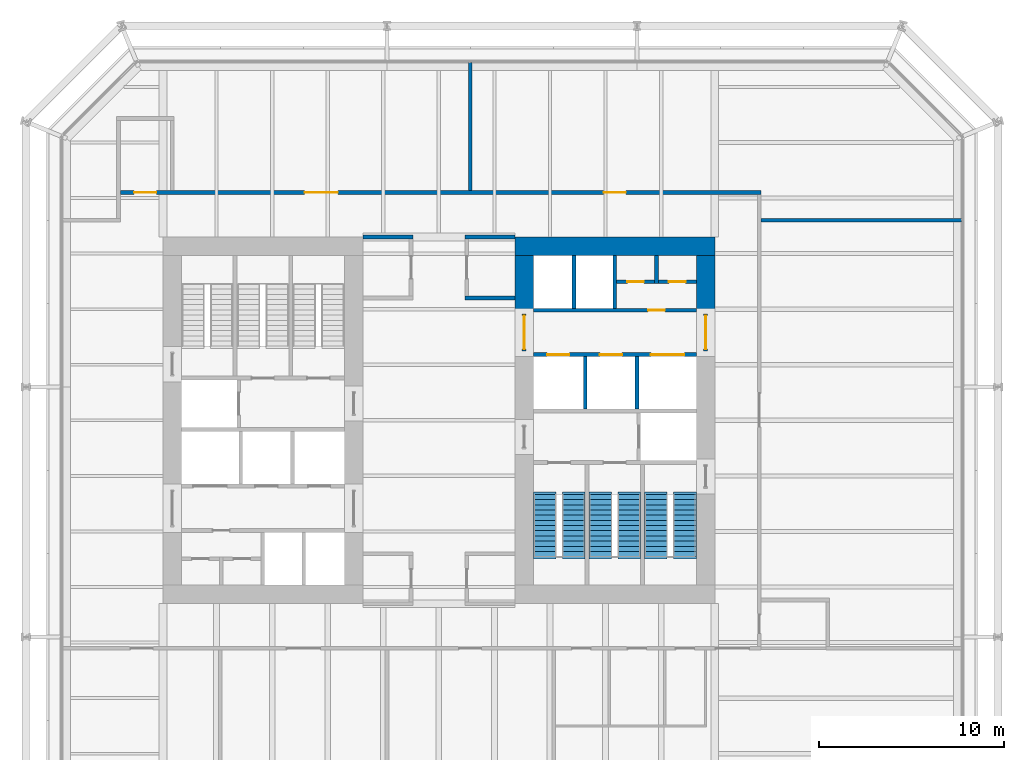
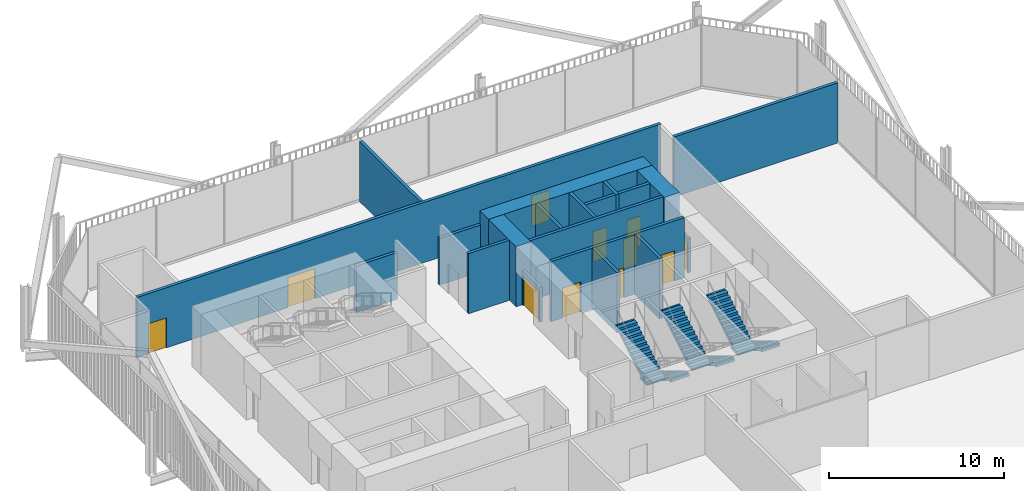
# One storey, part 19 of 21: 19 walls, 11 doors, 6 stair flights, 11 openings, 3 elements without a shape of their own.
"""IFC4 building model written with IfcOpenShell, lengths in metres."""

import ifcopenshell
import ifcopenshell.guid

model = None  # the IFC model being written
_history = None  # IfcOwnerHistory: only IFC2X3 demands one
_inside = {}  # id of a spatial element -> (the spatial element, [elements in it])
_under = {}  # id of a project, library or spatial element -> (it, [spatial elements below it])
_declared = {}  # id of a project -> (the project, [libraries it declares])
_typed = {}  # id of a type object -> (the type object, [elements of that type])
_made_of = {}  # id of a material, layer set ... -> (it, [elements and type objects made of it])


def new_model(schema):
    """Start an empty IFC model of exactly this schema.

    Asked for "IFC4X3", IfcOpenShell would pick the latest addendum, in which some entities
    have other attributes; the version numbers below select the first issue.
    IFC2X3 requires an IfcOwnerHistory on every rooted entity: one is made here for all.
    """
    global model, _history
    if schema == "IFC4X3":
        model = ifcopenshell.file(schema_version=(4, 3, 0, 0))
    else:
        model = ifcopenshell.file(schema=schema)
    _inside.clear()
    _under.clear()
    _declared.clear()
    _typed.clear()
    _made_of.clear()
    _history = None
    if model.schema == "IFC2X3":
        org = make("IfcOrganization", Name="unknown")
        user = make(
            "IfcPersonAndOrganization",
            ThePerson=make("IfcPerson", FamilyName="unknown"),
            TheOrganization=org,
        )
        app = make(
            "IfcApplication",
            ApplicationDeveloper=org,
            Version="unknown",
            ApplicationFullName="unknown",
            ApplicationIdentifier="unknown",
        )
        _history = make(
            "IfcOwnerHistory",
            OwningUser=user,
            OwningApplication=app,
            ChangeAction="ADDED",
            CreationDate=0,
        )
    return model


def make(cls, **values):
    """One entity of the class cls with the attributes given. An attribute that is None is left unset."""
    return model.create_entity(
        cls, **{name: value for name, value in values.items() if value is not None}
    )


def rooted(cls, **values):
    """An entity with a GlobalId (a new one), such as an element, a storey or a relation."""
    return make(cls, GlobalId=ifcopenshell.guid.new(), OwnerHistory=_history, **values)


def si_unit(unit_type, name, prefix=None):
    """IfcSIUnit, for example si_unit("LENGTHUNIT", "METRE", prefix="MILLI")."""
    return make("IfcSIUnit", UnitType=unit_type, Prefix=prefix, Name=name)


def assignment(units):
    """IfcUnitAssignment: the units of a project."""
    return None if units is None else make("IfcUnitAssignment", Units=units)


def point(xyz):
    """IfcCartesianPoint."""
    return None if xyz is None else make("IfcCartesianPoint", Coordinates=xyz)


def direction(xyz):
    """IfcDirection."""
    return None if xyz is None else make("IfcDirection", DirectionRatios=xyz)


def frame(location, z_axis=None, x_axis=None):
    """IfcAxis2Placement3D, a coordinate frame: its origin and axes. An axis left out is left unset."""
    return make(
        "IfcAxis2Placement3D",
        Location=point(location),
        Axis=direction(z_axis),
        RefDirection=direction(x_axis),
    )


def frame_2d(location, x_axis=None):
    """IfcAxis2Placement2D, a coordinate frame in the plane: its origin and x axis."""
    return make(
        "IfcAxis2Placement2D", Location=point(location), RefDirection=direction(x_axis)
    )


def origin():
    """The frame at (0, 0, 0) with its axes left unset."""
    return frame((0.0, 0.0, 0.0))


def place(relative_to, where):
    """IfcLocalPlacement: puts the frame where relative to a parent placement (None: the world)."""
    return make(
        "IfcLocalPlacement", PlacementRelTo=relative_to, RelativePlacement=where
    )


def context(
    kind, dimensions, precision=None, world=None, true_north=None, identifier=None
):
    """IfcGeometricRepresentationContext, for example the 3D "Model" context."""
    return make(
        "IfcGeometricRepresentationContext",
        ContextIdentifier=identifier,
        ContextType=kind,
        CoordinateSpaceDimension=dimensions,
        Precision=precision,
        WorldCoordinateSystem=world,
        TrueNorth=true_north,
    )


def subcontext(parent, identifier, kind, view, scale=None):
    """IfcGeometricRepresentationSubContext, for example "Body" below "Model"."""
    return make(
        "IfcGeometricRepresentationSubContext",
        ContextIdentifier=identifier,
        ContextType=kind,
        ParentContext=parent,
        TargetScale=scale,
        TargetView=view,
    )


def project(units=None, contexts=None):
    """IfcProject with its units and contexts."""
    return rooted(
        "IfcProject",
        Name="project",
        RepresentationContexts=contexts,
        UnitsInContext=assignment(units),
    )


def spatial(cls, under=None, at=None, **own):
    """A site, building, storey or space (cls), placed at a placement, below another one or the project."""
    s = rooted(cls, ObjectPlacement=at, **own)
    if under is not None:
        _under.setdefault(under.id(), (under, []))[1].append(s)
    return s


def polyline(points):
    """IfcPolyline through the points."""
    return make("IfcPolyline", Points=[point(p) for p in points])


def profile(cls, at=None, kind="AREA", **sizes):
    """A parametric profile (cls). Its sizes go by their IFC names, for example OverallWidth=200.0."""
    return make(cls, ProfileType=kind, Position=at, **sizes)


def rectangle(**sizes):
    """IfcRectangleProfileDef."""
    return profile("IfcRectangleProfileDef", **sizes)


def outline(outer, holes=None, kind="AREA"):
    """IfcArbitraryClosedProfileDef: a profile drawn as a closed curve; with holes, ...WithVoids."""
    if holes is None:
        return make("IfcArbitraryClosedProfileDef", ProfileType=kind, OuterCurve=outer)
    return make(
        "IfcArbitraryProfileDefWithVoids",
        ProfileType=kind,
        OuterCurve=outer,
        InnerCurves=holes,
    )


def extrude(swept, where, along, depth):
    """IfcExtrudedAreaSolid: the profile swept, set in the frame where, extruded along a direction by depth."""
    return make(
        "IfcExtrudedAreaSolid",
        SweptArea=swept,
        Position=where,
        ExtrudedDirection=direction(along),
        Depth=depth,
    )


def shape(context_of_items, identifier, shape_type, items):
    """IfcShapeRepresentation: the items that make up one representation, for example the "Body"."""
    return make(
        "IfcShapeRepresentation",
        ContextOfItems=context_of_items,
        RepresentationIdentifier=identifier,
        RepresentationType=shape_type,
        Items=items,
    )


def material(Name=None, Category=None):
    """IfcMaterial."""
    return make("IfcMaterial", Name=Name, Category=Category)


def layer(
    of_material, thickness, ventilated=None, Name=None, Category=None, Priority=None
):
    """IfcMaterialLayer: one layer of a wall or slab, of a material (None: an air gap)."""
    return make(
        "IfcMaterialLayer",
        Material=of_material,
        LayerThickness=thickness,
        IsVentilated=ventilated,
        Name=Name,
        Category=Category,
        Priority=Priority,
    )


def layer_set(layers, Name=None):
    """IfcMaterialLayerSet."""
    return make("IfcMaterialLayerSet", MaterialLayers=layers, LayerSetName=Name)


def made_of(thing, what):
    """Note that an element or type object is made of a material, layer set ...; save() writes the relation."""
    if what is not None:
        _made_of.setdefault(what.id(), (what, []))[1].append(thing)
    return thing


def type_object(cls, material=None, **own):
    """A type object (cls), such as IfcWallType, which elements share."""
    return made_of(rooted(cls, **own), material)


def element(
    cls,
    number,
    at=None,
    inside=None,
    cuts=None,
    type_object=None,
    material=None,
    context=None,
    identifier="Body",
    shape_type=None,
    held_by="IfcProductDefinitionShape",
    body=None,
    shapes=None,
    **own,
):
    """One element of the class cls, such as IfcWall. Its Tag is "e" and its number.

    at: its placement. inside: the storey or other place that contains it. cuts: it is an
    opening in that element (IfcRelVoidsElement). A single representation is given by context,
    identifier, shape_type and body (its items); several are given by shapes. held_by: the class
    of the entity that holds the representations. save() writes the other relations.
    """
    e = rooted(cls, Tag="e%d" % number, ObjectPlacement=at, **own)
    if body is not None:
        shapes = [shape(context, identifier, shape_type, body)]
    if shapes is not None:
        e.Representation = make(held_by, Representations=shapes)
    if inside is not None:
        _inside.setdefault(inside.id(), (inside, []))[1].append(e)
    if cuts is not None:
        rooted(
            "IfcRelVoidsElement", RelatingBuildingElement=cuts, RelatedOpeningElement=e
        )
    if type_object is not None:
        _typed.setdefault(type_object.id(), (type_object, []))[1].append(e)
    return made_of(e, material)


def fill(opening, filler):
    """IfcRelFillsElement: the door or window that sits in an opening."""
    return rooted(
        "IfcRelFillsElement",
        RelatingOpeningElement=opening,
        RelatedBuildingElement=filler,
    )


def aggregate(whole, parts):
    """IfcRelAggregates: a whole, such as a stair, and the parts it consists of."""
    return rooted("IfcRelAggregates", RelatingObject=whole, RelatedObjects=parts)


def save(model, path):
    """Write the relations noted so far, then the file.

    IfcRelAggregates (storeys below a building ...), IfcRelContainedInSpatialStructure (elements
    in a storey), IfcRelDefinesByType, IfcRelAssociatesMaterial and IfcRelDeclares: one each for
    every whole, place, type object, material and project.
    """
    for whole, parts in _under.values():
        aggregate(whole, parts)
    for where, things in _inside.values():
        rooted(
            "IfcRelContainedInSpatialStructure",
            RelatedElements=things,
            RelatingStructure=where,
        )
    for kind, things in _typed.values():
        rooted("IfcRelDefinesByType", RelatedObjects=things, RelatingType=kind)
    for what, things in _made_of.values():
        rooted("IfcRelAssociatesMaterial", RelatedObjects=things, RelatingMaterial=what)
    for by, libraries in _declared.values():
        rooted("IfcRelDeclares", RelatingContext=by, RelatedDefinitions=libraries)
    model.write(path)


model = new_model("IFC4")

# Units and contexts
model_context = context("Model", 3, precision=1e-05, world=origin(), true_north=direction((0.0, 1.0)))
body_context = subcontext(model_context, "Body", "Model", "MODEL_VIEW")
ifc_project = project(units=[si_unit("LENGTHUNIT", "METRE"), si_unit("AREAUNIT", "SQUARE_METRE"), si_unit("VOLUMEUNIT", "CUBIC_METRE"), si_unit("PLANEANGLEUNIT", "RADIAN"), si_unit("MASSUNIT", "GRAM", prefix="KILO")], contexts=[model_context])

# Site, building, storey
site_placement = place(None, origin())
site = spatial("IfcSite", under=ifc_project, at=site_placement, CompositionType="ELEMENT")
building_placement = place(site_placement, origin())
building = spatial("IfcBuilding", under=site, at=building_placement, Name="Millrace Tower", CompositionType="ELEMENT")
storey_placement = place(building_placement, frame((0.0, 0.0, 104.0)))
storey = spatial("IfcBuildingStorey", under=building, at=storey_placement, Name="L23", CompositionType="ELEMENT", Elevation=104.0)

# Walls
ifc_material_1 = material(Name="Concrete C80", Category="concrete")
ifc_layer_1 = layer(ifc_material_1, 1.0)
ifc_layer_set_1 = layer_set([ifc_layer_1], Name="Concrete C80")
wall_type_1 = type_object("IfcWallType", Name="Core wall 1000 Concrete C80", PredefinedType="SHEAR", material=ifc_layer_set_1)
wall_1_placement = place(storey_placement, frame((14.89990234375, 9.39990234375, 0.0), z_axis=(0.0, 0.0, 1.0), x_axis=(-1.0, 0.0, 0.0)))
element("IfcWall", 1, at=wall_1_placement, inside=storey, type_object=wall_type_1, Name="Core wall E L23", PredefinedType="SHEAR", context=body_context, shape_type="SweptSolid", body=[
    extrude(rectangle(XDim=10.7998046875, YDim=1.0, at=frame_2d((5.39990234375, 0.0))), origin(), (0.0, 0.0, 1.0), 4.199951171875),
])
for number, where, z_axis, x_axis, name in (
    (2, (14.39990234375, 8.89990234375, 0.0), (0.0, 0.0, 1.0), (0.0, -1.0, 0.0), "Core wall E L23"),
    (3, (4.60009765625, 8.89990234375, 0.0), (0.0, 0.0, 1.0), (0.0, -1.0, 0.0), "Core wall E L23"),
):
    element("IfcWall", number, at=place(storey_placement, frame(where, z_axis=z_axis, x_axis=x_axis)), inside=storey, type_object=wall_type_1, Name=name, PredefinedType="SHEAR", context=body_context, shape_type="SweptSolid", body=[
        extrude(rectangle(XDim=3.14990234375, YDim=1.0, at=frame_2d((1.574951171875, 0.0))), origin(), (0.0, 0.0, 1.0), 4.199951171875),
    ])
ifc_material_2 = material(Name="Masonry partition, fire-rated", Category="masonry")
ifc_layer_2 = layer(ifc_material_2, 0.199951171875)
ifc_layer_set_2 = layer_set([ifc_layer_2], Name="Masonry partition, fire-rated")
wall_type_2 = type_object("IfcWallType", Name="Corridor wall 200", PredefinedType="PARTITIONING", material=ifc_layer_set_2)
wall_2_placement = place(storey_placement, frame((1.39990234375, 6.60009765625, 0.0), z_axis=(0.0, 0.0, 1.0), x_axis=(1.0, 0.0, 0.0)))
element("IfcWall", 4, at=wall_2_placement, inside=storey, type_object=wall_type_2, Name="Corridor wall L23", PredefinedType="PARTITIONING", context=body_context, shape_type="SweptSolid", body=[
    extrude(rectangle(XDim=2.7001953125, YDim=0.199951171875, at=frame_2d((1.35009765625, 0.0))), origin(), (0.0, 0.0, 1.0), 4.199951171875),
])
for number, where, z_axis, x_axis, name in (
    (5, (-4.10009765625, 9.89990234375, 0.0), (0.0, 0.0, 1.0), (1.0, 0.0, 0.0), "Corridor wall L23"),
    (6, (1.39990234375, 9.89990234375, 0.0), (0.0, 0.0, 1.0), (1.0, 0.0, 0.0), "Corridor wall L23"),
):
    element("IfcWall", number, at=place(storey_placement, frame(where, z_axis=z_axis, x_axis=x_axis)), inside=storey, type_object=wall_type_2, Name=name, PredefinedType="PARTITIONING", context=body_context, shape_type="SweptSolid", body=[
        extrude(rectangle(XDim=2.7001953125, YDim=0.199951171875, at=frame_2d((1.35009765625, 0.0))), origin(), (0.0, 0.0, 1.0), 3.2626953125),
    ])
wall_3_placement = place(storey_placement, frame((17.39990234375, 10.800048828125, 0.0), z_axis=(0.0, 0.0, 1.0), x_axis=(1.0, 0.0, 0.0)))
element("IfcWall", 7, at=wall_3_placement, inside=storey, type_object=wall_type_2, Name="Corridor wall L23", PredefinedType="PARTITIONING", context=body_context, shape_type="SweptSolid", body=[
    extrude(rectangle(XDim=10.830078125, YDim=0.199951171875, at=frame_2d((5.4150390625, 0.0))), origin(), (0.0, 0.0, 1.0), 4.199951171875),
])

# Wall, openings, doors
wall_4_placement = place(storey_placement, frame((-17.199951171875, 12.300048828125, 0.0), z_axis=(0.0, 0.0, 1.0), x_axis=(1.0, 0.0, 0.0)))
wall_4 = element("IfcWall", 8, at=wall_4_placement, inside=storey, type_object=wall_type_2, Name="Corridor wall L23", PredefinedType="PARTITIONING", context=body_context, shape_type="SweptSolid", body=[
    extrude(rectangle(XDim=34.599853515625, YDim=0.199951171875, at=frame_2d((17.2998046875, 0.0))), origin(), (0.0, 0.0, 1.0), 4.199951171875),
])
opening_1_placement = place(wall_4_placement, frame((9.949951171875, 0.0, 0.0)))
opening_1 = element("IfcOpeningElement", 9, at=opening_1_placement, cuts=wall_4, Name="Opening 23-P012", PredefinedType="OPENING", context=body_context, shape_type="SweptSolid", body=[
    extrude(rectangle(XDim=1.800048828125, YDim=2.10009765625, at=frame_2d((0.89990234375, 1.050048828125))), frame((0.0, 0.10986328125, 0.0), z_axis=(0.0, -1.0, 0.0), x_axis=(1.0, 0.0, 0.0)), (0.0, 0.0, 1.0), 0.219970703125),
])
opening_2_placement = place(wall_4_placement, frame((0.75, 0.0, 0.0)))
opening_2 = element("IfcOpeningElement", 10, at=opening_2_placement, cuts=wall_4, Name="Opening 23-P013", PredefinedType="OPENING", context=body_context, shape_type="SweptSolid", body=[
    extrude(rectangle(XDim=1.199951171875, YDim=2.10009765625, at=frame_2d((0.60009765625, 1.050048828125))), frame((0.0, 0.10986328125, 0.0), z_axis=(0.0, -1.0, 0.0), x_axis=(1.0, 0.0, 0.0)), (0.0, 0.0, 1.0), 0.219970703125),
])
opening_3_placement = place(wall_4_placement, frame((26.10009765625, 0.0, 0.0)))
opening_3 = element("IfcOpeningElement", 11, at=opening_3_placement, cuts=wall_4, Name="Opening 23-P014", PredefinedType="OPENING", context=body_context, shape_type="SweptSolid", body=[
    extrude(rectangle(XDim=1.199951171875, YDim=2.10009765625, at=frame_2d((0.60009765625, 1.050048828125))), frame((0.0, 0.10986328125, 0.0), z_axis=(0.0, -1.0, 0.0), x_axis=(1.0, 0.0, 0.0)), (0.0, 0.0, 1.0), 0.219970703125),
])
ifc_material_3 = material(Name="Steel door set, fire-rated", Category="steel")
door_type_1 = type_object("IfcDoorType", Name="Corridor door 1200 x 2100", OperationType="SINGLE_SWING_LEFT", PredefinedType="DOOR", material=ifc_material_3)
door_1_placement = place(opening_2_placement, origin())
door_1 = element("IfcDoor", 12, at=door_1_placement, inside=storey, type_object=door_type_1, Name="Door 23-P013", OperationType="SINGLE_SWING_LEFT", OverallHeight=2.10009765625, OverallWidth=1.199951171875, PredefinedType="DOOR", context=body_context, shape_type="SweptSolid", body=[
    extrude(rectangle(XDim=1.199951171875, YDim=2.10009765625, at=frame_2d((0.60009765625, 1.050048828125))), frame((0.0, 0.02490234375, 0.0), z_axis=(0.0, -1.0, 0.0), x_axis=(1.0, 0.0, 0.0)), (0.0, 0.0, 1.0), 0.050048828125),
])
fill(opening_2, door_1)
door_2_placement = place(opening_3_placement, frame((1.199951171875, 0.0, 0.0), z_axis=(0.0, 0.0, 1.0), x_axis=(-1.0, 0.0, 0.0)))
door_2 = element("IfcDoor", 13, at=door_2_placement, inside=storey, type_object=door_type_1, Name="Door 23-P014", OperationType="SINGLE_SWING_LEFT", OverallHeight=2.10009765625, OverallWidth=1.199951171875, PredefinedType="DOOR", context=body_context, shape_type="SweptSolid", body=[
    extrude(rectangle(XDim=1.199951171875, YDim=2.10009765625, at=frame_2d((0.60009765625, 1.050048828125))), frame((0.0, 0.02490234375, 0.0), z_axis=(0.0, -1.0, 0.0), x_axis=(1.0, 0.0, 0.0)), (0.0, 0.0, 1.0), 0.050048828125),
])
fill(opening_3, door_2)
ifc_material_4 = material(Name="Steel door set, fire-rated", Category="steel")
door_type_2 = type_object("IfcDoorType", Name="Data hall door 1800 x 2100", OperationType="DOUBLE_DOOR_SINGLE_SWING", PredefinedType="DOOR", material=ifc_material_4)
door_3_placement = place(opening_1_placement, origin())
door_3 = element("IfcDoor", 14, at=door_3_placement, inside=storey, type_object=door_type_2, Name="Door 23-P012", OperationType="DOUBLE_DOOR_SINGLE_SWING", OverallHeight=2.10009765625, OverallWidth=1.800048828125, PredefinedType="DOOR", context=body_context, shape_type="SweptSolid", body=[
    extrude(rectangle(XDim=1.800048828125, YDim=2.10009765625, at=frame_2d((0.89990234375, 1.050048828125))), frame((0.0, 0.02490234375, 0.0), z_axis=(0.0, -1.0, 0.0), x_axis=(1.0, 0.0, 0.0)), (0.0, 0.0, 1.0), 0.050048828125),
])
fill(opening_1, door_3)

# Wall
wall_5_placement = place(storey_placement, frame((1.699951171875, 12.39990234375, 0.0), z_axis=(0.0, 0.0, 1.0), x_axis=(0.0, 1.0, 0.0)))
element("IfcWall", 15, at=wall_5_placement, inside=storey, type_object=wall_type_2, Name="Corridor wall L23", PredefinedType="PARTITIONING", context=body_context, shape_type="SweptSolid", body=[
    extrude(rectangle(XDim=6.93017578125, YDim=0.199951171875, at=frame_2d((3.465087890625, 0.0))), origin(), (0.0, 0.0, 1.0), 4.199951171875),
])

# Wall, opening, door
ifc_material_5 = material(Name="Masonry partition, fire-rated", Category="masonry")
ifc_layer_3 = layer(ifc_material_5, 0.199951171875)
ifc_layer_set_3 = layer_set([ifc_layer_3], Name="Masonry partition, fire-rated")
wall_type_3 = type_object("IfcWallType", Name="Lift shaft wall 200", PredefinedType="PARTITIONING", material=ifc_layer_set_3)
wall_6_placement = place(storey_placement, frame((13.89990234375, 5.949951171875, 0.0), z_axis=(0.0, 0.0, 1.0), x_axis=(-1.0, 0.0, 0.0)))
wall_6 = element("IfcWall", 16, at=wall_6_placement, inside=storey, type_object=wall_type_3, Name="Lift shaft wall E L23", PredefinedType="PARTITIONING", context=body_context, shape_type="SweptSolid", body=[
    extrude(rectangle(XDim=8.7998046875, YDim=0.199951171875, at=frame_2d((4.39990234375, 0.0))), origin(), (0.0, 0.0, 1.0), 4.199951171875),
])
opening_4_placement = place(wall_6_placement, frame((1.699951171875, 0.0, 0.0)))
opening_4 = element("IfcOpeningElement", 17, at=opening_4_placement, cuts=wall_6, Name="Opening 23-C014", PredefinedType="OPENING", context=body_context, shape_type="SweptSolid", body=[
    extrude(rectangle(XDim=0.89990234375, YDim=2.10009765625, at=frame_2d((0.449951171875, 1.050048828125))), frame((0.0, 0.10986328125, 0.0), z_axis=(0.0, -1.0, 0.0), x_axis=(1.0, 0.0, 0.0)), (0.0, 0.0, 1.0), 0.219970703125),
])
ifc_material_6 = material(Name="Steel door, fire-rated", Category="steel")
door_type_3 = type_object("IfcDoorType", Name="Service room door 900 x 2100", OperationType="SINGLE_SWING_LEFT", PredefinedType="DOOR", material=ifc_material_6)
door_4_placement = place(opening_4_placement, origin())
door_4 = element("IfcDoor", 18, at=door_4_placement, inside=storey, type_object=door_type_3, Name="Service room door 23-C014", OperationType="SINGLE_SWING_LEFT", OverallHeight=2.10009765625, OverallWidth=0.89990234375, PredefinedType="DOOR", context=body_context, shape_type="SweptSolid", body=[
    extrude(rectangle(XDim=0.89990234375, YDim=2.10009765625, at=frame_2d((0.449951171875, 1.050048828125))), frame((0.0, 0.02490234375, 0.0), z_axis=(0.0, -1.0, 0.0), x_axis=(1.0, 0.0, 0.0)), (0.0, 0.0, 1.0), 0.050048828125),
])
fill(opening_4, door_4)

# Wall, openings, doors
wall_7_placement = place(storey_placement, frame((13.89990234375, 3.550048828125, 0.0), z_axis=(0.0, 0.0, 1.0), x_axis=(-1.0, 0.0, 0.0)))
wall_7 = element("IfcWall", 19, at=wall_7_placement, inside=storey, type_object=wall_type_3, Name="Lift shaft wall E L23", PredefinedType="PARTITIONING", context=body_context, shape_type="SweptSolid", body=[
    extrude(rectangle(XDim=8.7998046875, YDim=0.199951171875, at=frame_2d((4.39990234375, 0.0))), origin(), (0.0, 0.0, 1.0), 4.199951171875),
])
opening_5_placement = place(wall_7_placement, frame((0.64990234375, 0.0, 0.0)))
opening_5 = element("IfcOpeningElement", 20, at=opening_5_placement, cuts=wall_7, Name="Opening 23-LD13", PredefinedType="OPENING", context=body_context, shape_type="SweptSolid", body=[
    extrude(rectangle(XDim=1.800048828125, YDim=2.10009765625, at=frame_2d((0.89990234375, 1.050048828125))), frame((0.0, 0.10986328125, 0.0), z_axis=(0.0, -1.0, 0.0), x_axis=(1.0, 0.0, 0.0)), (0.0, 0.0, 1.0), 0.219970703125),
])
opening_6_placement = place(wall_7_placement, frame((4.0, 0.0, 0.0)))
opening_6 = element("IfcOpeningElement", 21, at=opening_6_placement, cuts=wall_7, Name="Opening 23-LD14", PredefinedType="OPENING", context=body_context, shape_type="SweptSolid", body=[
    extrude(rectangle(XDim=1.199951171875, YDim=2.10009765625, at=frame_2d((0.60009765625, 1.050048828125))), frame((0.0, 0.10986328125, 0.0), z_axis=(0.0, -1.0, 0.0), x_axis=(1.0, 0.0, 0.0)), (0.0, 0.0, 1.0), 0.219970703125),
])
opening_7_placement = place(wall_7_placement, frame((6.85009765625, 0.0, 0.0)))
opening_7 = element("IfcOpeningElement", 22, at=opening_7_placement, cuts=wall_7, Name="Opening 23-LD15", PredefinedType="OPENING", context=body_context, shape_type="SweptSolid", body=[
    extrude(rectangle(XDim=1.199951171875, YDim=2.10009765625, at=frame_2d((0.60009765625, 1.050048828125))), frame((0.0, 0.10986328125, 0.0), z_axis=(0.0, -1.0, 0.0), x_axis=(1.0, 0.0, 0.0)), (0.0, 0.0, 1.0), 0.219970703125),
])
ifc_material_7 = material(Name="Stainless steel, fire-rated", Category="steel")
door_type_4 = type_object("IfcDoorType", Name="Lift landing door 1200 x 2100", OperationType="DOUBLE_DOOR_SLIDING", PredefinedType="DOOR", material=ifc_material_7)
door_5_placement = place(opening_6_placement, origin())
door_5 = element("IfcDoor", 23, at=door_5_placement, inside=storey, type_object=door_type_4, Name="Lift landing door LF14 L23", OperationType="DOUBLE_DOOR_SLIDING", OverallHeight=2.10009765625, OverallWidth=1.199951171875, PredefinedType="DOOR", context=body_context, shape_type="SweptSolid", body=[
    extrude(rectangle(XDim=1.199951171875, YDim=2.10009765625, at=frame_2d((0.60009765625, 1.050048828125))), frame((0.0, 0.02490234375, 0.0), z_axis=(0.0, -1.0, 0.0), x_axis=(1.0, 0.0, 0.0)), (0.0, 0.0, 1.0), 0.050048828125),
])
fill(opening_6, door_5)
door_6_placement = place(opening_7_placement, origin())
door_6 = element("IfcDoor", 24, at=door_6_placement, inside=storey, type_object=door_type_4, Name="Lift landing door LF15 L23", OperationType="DOUBLE_DOOR_SLIDING", OverallHeight=2.10009765625, OverallWidth=1.199951171875, PredefinedType="DOOR", context=body_context, shape_type="SweptSolid", body=[
    extrude(rectangle(XDim=1.199951171875, YDim=2.10009765625, at=frame_2d((0.60009765625, 1.050048828125))), frame((0.0, 0.02490234375, 0.0), z_axis=(0.0, -1.0, 0.0), x_axis=(1.0, 0.0, 0.0)), (0.0, 0.0, 1.0), 0.050048828125),
])
fill(opening_7, door_6)
ifc_material_8 = material(Name="Stainless steel, fire-rated", Category="steel")
door_type_5 = type_object("IfcDoorType", Name="Lift landing door 1800 x 2100", OperationType="DOUBLE_DOOR_SLIDING", PredefinedType="DOOR", material=ifc_material_8)
door_7_placement = place(opening_5_placement, origin())
door_7 = element("IfcDoor", 25, at=door_7_placement, inside=storey, type_object=door_type_5, Name="Lift landing door LF13 L23", OperationType="DOUBLE_DOOR_SLIDING", OverallHeight=2.10009765625, OverallWidth=1.800048828125, PredefinedType="DOOR", context=body_context, shape_type="SweptSolid", body=[
    extrude(rectangle(XDim=1.800048828125, YDim=2.10009765625, at=frame_2d((0.89990234375, 1.050048828125))), frame((0.0, 0.02490234375, 0.0), z_axis=(0.0, -1.0, 0.0), x_axis=(1.0, 0.0, 0.0)), (0.0, 0.0, 1.0), 0.050048828125),
])
fill(opening_5, door_7)

# Walls
for number, where, z_axis, x_axis, name in (
    (26, (9.5, 8.89990234375, 0.0), (0.0, 0.0, 1.0), (0.0, -1.0, 0.0), "Lift shaft wall E L23"),
    (27, (7.300048828125, 8.89990234375, 0.0), (0.0, 0.0, 1.0), (0.0, -1.0, 0.0), "Lift shaft wall E L23"),
    (28, (10.699951171875, 3.449951171875, 0.0), (0.0, 0.0, 1.0), (0.0, -1.0, 0.0), "Lift shaft wall E L23"),
    (29, (7.89990234375, 3.449951171875, 0.0), (0.0, 0.0, 1.0), (0.0, -1.0, 0.0), "Lift shaft wall E L23"),
):
    element("IfcWall", number, at=place(storey_placement, frame(where, z_axis=z_axis, x_axis=x_axis)), inside=storey, type_object=wall_type_3, Name=name, PredefinedType="PARTITIONING", context=body_context, shape_type="SweptSolid", body=[
        extrude(rectangle(XDim=2.849853515625, YDim=0.199951171875, at=frame_2d((1.4248046875, 0.0))), origin(), (0.0, 0.0, 1.0), 4.199951171875),
    ])

# Wall, opening, door
ifc_material_9 = material(Name="Masonry partition, fire-rated", Category="masonry")
ifc_layer_4 = layer(ifc_material_9, 0.199951171875)
ifc_layer_set_4 = layer_set([ifc_layer_4], Name="Masonry partition, fire-rated")
wall_type_4 = type_object("IfcWallType", Name="Lobby wall 200", PredefinedType="PARTITIONING", material=ifc_layer_set_4)
wall_8_placement = place(storey_placement, frame((14.39990234375, 5.75, 0.0), z_axis=(0.0, 0.0, 1.0), x_axis=(0.0, -1.0, 0.0)))
wall_8 = element("IfcWall", 30, at=wall_8_placement, inside=storey, type_object=wall_type_4, Name="Lobby wall E L23", PredefinedType="PARTITIONING", context=body_context, shape_type="SweptSolid", body=[
    extrude(rectangle(XDim=2.0, YDim=0.199951171875, at=frame_2d((1.0, 0.0))), origin(), (0.0, 0.0, 1.0), 2.39990234375),
])
opening_8_placement = place(wall_8_placement, frame((0.10009765625, 0.0, 0.0)))
opening_8 = element("IfcOpeningElement", 31, at=opening_8_placement, cuts=wall_8, Name="Opening 23-C010", PredefinedType="OPENING", context=body_context, shape_type="SweptSolid", body=[
    extrude(rectangle(XDim=1.800048828125, YDim=2.10009765625, at=frame_2d((0.89990234375, 1.050048828125))), frame((0.0, 0.10986328125, 0.0), z_axis=(0.0, -1.0, 0.0), x_axis=(1.0, 0.0, 0.0)), (0.0, 0.0, 1.0), 0.219970703125),
])
ifc_material_10 = material(Name="Steel door, fire-rated", Category="steel")
door_type_6 = type_object("IfcDoorType", Name="Lobby door 1800 x 2100", OperationType="DOUBLE_DOOR_SINGLE_SWING", PredefinedType="DOOR", material=ifc_material_10)
door_8_placement = place(opening_8_placement, origin())
door_8 = element("IfcDoor", 32, at=door_8_placement, inside=storey, type_object=door_type_6, Name="Lobby door 23-C010", OperationType="DOUBLE_DOOR_SINGLE_SWING", OverallHeight=2.10009765625, OverallWidth=1.800048828125, PredefinedType="DOOR", context=body_context, shape_type="SweptSolid", body=[
    extrude(rectangle(XDim=1.800048828125, YDim=2.10009765625, at=frame_2d((0.89990234375, 1.050048828125))), frame((0.0, 0.02490234375, 0.0), z_axis=(0.0, -1.0, 0.0), x_axis=(1.0, 0.0, 0.0)), (0.0, 0.0, 1.0), 0.050048828125),
])
fill(opening_8, door_8)

wall_9_placement = place(storey_placement, frame((4.60009765625, 5.75, 0.0), z_axis=(0.0, 0.0, 1.0), x_axis=(0.0, -1.0, 0.0)))
wall_9 = element("IfcWall", 33, at=wall_9_placement, inside=storey, type_object=wall_type_4, Name="Lobby wall E L23", PredefinedType="PARTITIONING", context=body_context, shape_type="SweptSolid", body=[
    extrude(rectangle(XDim=2.0, YDim=0.199951171875, at=frame_2d((1.0, 0.0))), origin(), (0.0, 0.0, 1.0), 2.39990234375),
])
opening_9_placement = place(wall_9_placement, frame((0.10009765625, 0.0, 0.0)))
opening_9 = element("IfcOpeningElement", 34, at=opening_9_placement, cuts=wall_9, Name="Opening 23-C012", PredefinedType="OPENING", context=body_context, shape_type="SweptSolid", body=[
    extrude(rectangle(XDim=1.800048828125, YDim=2.10009765625, at=frame_2d((0.89990234375, 1.050048828125))), frame((0.0, 0.10986328125, 0.0), z_axis=(0.0, -1.0, 0.0), x_axis=(1.0, 0.0, 0.0)), (0.0, 0.0, 1.0), 0.219970703125),
])
door_9_placement = place(opening_9_placement, origin())
door_9 = element("IfcDoor", 35, at=door_9_placement, inside=storey, type_object=door_type_6, Name="Lobby door 23-C012", OperationType="DOUBLE_DOOR_SINGLE_SWING", OverallHeight=2.10009765625, OverallWidth=1.800048828125, PredefinedType="DOOR", context=body_context, shape_type="SweptSolid", body=[
    extrude(rectangle(XDim=1.800048828125, YDim=2.10009765625, at=frame_2d((0.89990234375, 1.050048828125))), frame((0.0, 0.02490234375, 0.0), z_axis=(0.0, -1.0, 0.0), x_axis=(1.0, 0.0, 0.0)), (0.0, 0.0, 1.0), 0.050048828125),
])
fill(opening_9, door_9)

# Wall, openings, doors
ifc_material_11 = material(Name="Masonry partition, fire-rated", Category="masonry")
ifc_layer_5 = layer(ifc_material_11, 0.199951171875)
ifc_layer_set_5 = layer_set([ifc_layer_5], Name="Masonry partition, fire-rated")
wall_type_5 = type_object("IfcWallType", Name="Room partition 200", PredefinedType="PARTITIONING", material=ifc_layer_set_5)
wall_10_placement = place(storey_placement, frame((13.89990234375, 7.47509765625, 0.0), z_axis=(0.0, 0.0, 1.0), x_axis=(-1.0, 0.0, 0.0)))
wall_10 = element("IfcWall", 36, at=wall_10_placement, inside=storey, type_object=wall_type_5, Name="Room partition E L23", PredefinedType="PARTITIONING", context=body_context, shape_type="SweptSolid", body=[
    extrude(rectangle(XDim=4.2998046875, YDim=0.199951171875, at=frame_2d((2.14990234375, 0.0))), origin(), (0.0, 0.0, 1.0), 4.199951171875),
])
opening_10_placement = place(wall_10_placement, frame((0.574951171875, 0.0, 0.0)))
opening_10 = element("IfcOpeningElement", 37, at=opening_10_placement, cuts=wall_10, Name="Opening 23-C015", PredefinedType="OPENING", context=body_context, shape_type="SweptSolid", body=[
    extrude(rectangle(XDim=0.89990234375, YDim=2.10009765625, at=frame_2d((0.449951171875, 1.050048828125))), frame((0.0, 0.10986328125, 0.0), z_axis=(0.0, -1.0, 0.0), x_axis=(1.0, 0.0, 0.0)), (0.0, 0.0, 1.0), 0.219970703125),
])
opening_11_placement = place(wall_10_placement, frame((2.824951171875, 0.0, 0.0)))
opening_11 = element("IfcOpeningElement", 38, at=opening_11_placement, cuts=wall_10, Name="Opening 23-C016", PredefinedType="OPENING", context=body_context, shape_type="SweptSolid", body=[
    extrude(rectangle(XDim=0.89990234375, YDim=2.10009765625, at=frame_2d((0.449951171875, 1.050048828125))), frame((0.0, 0.10986328125, 0.0), z_axis=(0.0, -1.0, 0.0), x_axis=(1.0, 0.0, 0.0)), (0.0, 0.0, 1.0), 0.219970703125),
])
door_10_placement = place(opening_10_placement, frame((0.89990234375, 0.0, 0.0), z_axis=(0.0, 0.0, 1.0), x_axis=(-1.0, 0.0, 0.0)))
door_10 = element("IfcDoor", 39, at=door_10_placement, inside=storey, type_object=door_type_3, Name="Service room door 23-C015", OperationType="SINGLE_SWING_RIGHT", OverallHeight=2.10009765625, OverallWidth=0.89990234375, PredefinedType="DOOR", context=body_context, shape_type="SweptSolid", body=[
    extrude(rectangle(XDim=0.89990234375, YDim=2.10009765625, at=frame_2d((0.449951171875, 1.050048828125))), frame((0.0, 0.02490234375, 0.0), z_axis=(0.0, -1.0, 0.0), x_axis=(1.0, 0.0, 0.0)), (0.0, 0.0, 1.0), 0.050048828125),
])
fill(opening_10, door_10)
door_11_placement = place(opening_11_placement, frame((0.89990234375, 0.0, 0.0), z_axis=(0.0, 0.0, 1.0), x_axis=(-1.0, 0.0, 0.0)))
door_11 = element("IfcDoor", 40, at=door_11_placement, inside=storey, type_object=door_type_3, Name="Service room door 23-C016", OperationType="SINGLE_SWING_LEFT", OverallHeight=2.10009765625, OverallWidth=0.89990234375, PredefinedType="DOOR", context=body_context, shape_type="SweptSolid", body=[
    extrude(rectangle(XDim=0.89990234375, YDim=2.10009765625, at=frame_2d((0.449951171875, 1.050048828125))), frame((0.0, 0.02490234375, 0.0), z_axis=(0.0, -1.0, 0.0), x_axis=(1.0, 0.0, 0.0)), (0.0, 0.0, 1.0), 0.050048828125),
])
fill(opening_11, door_11)

# Wall
wall_11_placement = place(storey_placement, frame((11.75, 8.89990234375, 0.0), z_axis=(0.0, 0.0, 1.0), x_axis=(0.0, -1.0, 0.0)))
element("IfcWall", 41, at=wall_11_placement, inside=storey, type_object=wall_type_5, Name="Room partition E L23", PredefinedType="PARTITIONING", context=body_context, shape_type="SweptSolid", body=[
    extrude(rectangle(XDim=1.52490234375, YDim=0.199951171875, at=frame_2d((0.762451171875, 0.0))), origin(), (0.0, 0.0, 1.0), 4.199951171875),
])

# Stair, stair flights
ifc_material_12 = material(Name="Concrete C35", Category="concrete")
stair_type = type_object("IfcStairType", Name="Exit stair", PredefinedType="HALF_TURN_STAIR", material=ifc_material_12)
placement = place(storey_placement, origin())
stair_1 = element("IfcStair", 42, at=placement, inside=storey, type_object=stair_type, Name="Stair 1 E L23", PredefinedType="HALF_TURN_STAIR")
ifc_material_13 = material(Name="Concrete C35", Category="concrete")
stair_flight_type = type_object("IfcStairFlightType", Name="Exit stair flight", PredefinedType="STRAIGHT", material=ifc_material_13)
stair_flight_1_placement = place(storey_placement, frame((13.2900390625, -4.0, 0.0), z_axis=(0.0, 0.0, 1.0), x_axis=(0.0, -1.0, 0.0)))
stair_flight_1 = element("IfcStairFlight", 43, at=stair_flight_1_placement, type_object=stair_flight_type, Name="ST12 flight 1", NumberOfRisers=13, NumberOfTreads=12, PredefinedType="STRAIGHT", RiserHeight=0.169230769, TreadLength=0.28, context=body_context, shape_type="SweptSolid", body=[
    extrude(outline(polyline([(-0.1201171875, -0.0400390625), (-0.1201171875, 0.0), (0.0, 0.0), (0.0, 0.169189453125), (0.280029296875, 0.169189453125), (0.280029296875, 0.33837890625), (0.56005859375, 0.33837890625), (0.56005859375, 0.5078125), (0.840087890625, 0.5078125), (0.840087890625, 0.677001953125), (1.1201171875, 0.677001953125), (1.1201171875, 0.84619140625), (1.39990234375, 0.84619140625), (1.39990234375, 1.015380859375), (1.679931640625, 1.015380859375), (1.679931640625, 1.1845703125), (1.9599609375, 1.1845703125), (1.9599609375, 1.353759765625), (2.239990234375, 1.353759765625), (2.239990234375, 1.523193359375), (2.52001953125, 1.523193359375), (2.52001953125, 1.6923828125), (2.800048828125, 1.6923828125), (2.800048828125, 1.861572265625), (3.080078125, 1.861572265625), (3.080078125, 2.03076171875), (3.360107421875, 2.03076171875), (3.360107421875, 2.05078125), (3.47998046875, 2.05078125), (3.47998046875, 1.855712890625), (3.360107421875, 1.855712890625), (0.289794921875, 0.0), (0.289794921875, -0.0400390625), (-0.1201171875, -0.0400390625)])), frame((0.0, 0.60986328125, 0.0), z_axis=(0.0, -1.0, 0.0), x_axis=(1.0, 0.0, 0.0)), (0.0, 0.0, 1.0), 1.219970703125),
])
stair_flight_2_placement = place(storey_placement, frame((11.7099609375, -7.360107421875, 2.199951171875), z_axis=(0.0, 0.0, 1.0), x_axis=(0.0, 1.0, 0.0)))
stair_flight_2 = element("IfcStairFlight", 44, at=stair_flight_2_placement, type_object=stair_flight_type, Name="ST12 flight 2", NumberOfRisers=13, NumberOfTreads=12, PredefinedType="STRAIGHT", RiserHeight=0.169230769, TreadLength=0.28, context=body_context, shape_type="SweptSolid", body=[
    extrude(outline(polyline([(-0.1201171875, -0.0400390625), (-0.1201171875, 0.0), (0.0, 0.0), (0.0, 0.169189453125), (0.280029296875, 0.169189453125), (0.280029296875, 0.33837890625), (0.56005859375, 0.33837890625), (0.56005859375, 0.5078125), (0.840087890625, 0.5078125), (0.840087890625, 0.677001953125), (1.1201171875, 0.677001953125), (1.1201171875, 0.84619140625), (1.39990234375, 0.84619140625), (1.39990234375, 1.015380859375), (1.679931640625, 1.015380859375), (1.679931640625, 1.1845703125), (1.9599609375, 1.1845703125), (1.9599609375, 1.353759765625), (2.239990234375, 1.353759765625), (2.239990234375, 1.523193359375), (2.52001953125, 1.523193359375), (2.52001953125, 1.6923828125), (2.800048828125, 1.6923828125), (2.800048828125, 1.861572265625), (3.080078125, 1.861572265625), (3.080078125, 2.03076171875), (3.360107421875, 2.03076171875), (3.360107421875, 2.05078125), (3.47998046875, 2.05078125), (3.47998046875, 1.855712890625), (3.360107421875, 1.855712890625), (0.289794921875, 0.0), (0.289794921875, -0.0400390625), (-0.1201171875, -0.0400390625)])), frame((0.0, 0.60986328125, 0.0), z_axis=(0.0, -1.0, 0.0), x_axis=(1.0, 0.0, 0.0)), (0.0, 0.0, 1.0), 1.219970703125),
])
aggregate(stair_1, [stair_flight_1, stair_flight_2])

stair_2 = element("IfcStair", 45, at=placement, inside=storey, type_object=stair_type, Name="Stair 2 E L23", PredefinedType="HALF_TURN_STAIR")
stair_flight_3_placement = place(storey_placement, frame((10.2900390625, -4.0, 0.0), z_axis=(0.0, 0.0, 1.0), x_axis=(0.0, -1.0, 0.0)))
stair_flight_3 = element("IfcStairFlight", 46, at=stair_flight_3_placement, type_object=stair_flight_type, Name="ST12 flight 1", NumberOfRisers=13, NumberOfTreads=12, PredefinedType="STRAIGHT", RiserHeight=0.169230769, TreadLength=0.28, context=body_context, shape_type="SweptSolid", body=[
    extrude(outline(polyline([(-0.1201171875, -0.0400390625), (-0.1201171875, 0.0), (0.0, 0.0), (0.0, 0.169189453125), (0.280029296875, 0.169189453125), (0.280029296875, 0.33837890625), (0.56005859375, 0.33837890625), (0.56005859375, 0.5078125), (0.840087890625, 0.5078125), (0.840087890625, 0.677001953125), (1.1201171875, 0.677001953125), (1.1201171875, 0.84619140625), (1.39990234375, 0.84619140625), (1.39990234375, 1.015380859375), (1.679931640625, 1.015380859375), (1.679931640625, 1.1845703125), (1.9599609375, 1.1845703125), (1.9599609375, 1.353759765625), (2.239990234375, 1.353759765625), (2.239990234375, 1.523193359375), (2.52001953125, 1.523193359375), (2.52001953125, 1.6923828125), (2.800048828125, 1.6923828125), (2.800048828125, 1.861572265625), (3.080078125, 1.861572265625), (3.080078125, 2.03076171875), (3.360107421875, 2.03076171875), (3.360107421875, 2.05078125), (3.47998046875, 2.05078125), (3.47998046875, 1.855712890625), (3.360107421875, 1.855712890625), (0.289794921875, 0.0), (0.289794921875, -0.0400390625), (-0.1201171875, -0.0400390625)])), frame((0.0, 0.60986328125, 0.0), z_axis=(0.0, -1.0, 0.0), x_axis=(1.0, 0.0, 0.0)), (0.0, 0.0, 1.0), 1.219970703125),
])
stair_flight_4_placement = place(storey_placement, frame((8.7099609375, -7.360107421875, 2.199951171875), z_axis=(0.0, 0.0, 1.0), x_axis=(0.0, 1.0, 0.0)))
stair_flight_4 = element("IfcStairFlight", 47, at=stair_flight_4_placement, type_object=stair_flight_type, Name="ST12 flight 2", NumberOfRisers=13, NumberOfTreads=12, PredefinedType="STRAIGHT", RiserHeight=0.169230769, TreadLength=0.28, context=body_context, shape_type="SweptSolid", body=[
    extrude(outline(polyline([(-0.1201171875, -0.0400390625), (-0.1201171875, 0.0), (0.0, 0.0), (0.0, 0.169189453125), (0.280029296875, 0.169189453125), (0.280029296875, 0.33837890625), (0.56005859375, 0.33837890625), (0.56005859375, 0.5078125), (0.840087890625, 0.5078125), (0.840087890625, 0.677001953125), (1.1201171875, 0.677001953125), (1.1201171875, 0.84619140625), (1.39990234375, 0.84619140625), (1.39990234375, 1.015380859375), (1.679931640625, 1.015380859375), (1.679931640625, 1.1845703125), (1.9599609375, 1.1845703125), (1.9599609375, 1.353759765625), (2.239990234375, 1.353759765625), (2.239990234375, 1.523193359375), (2.52001953125, 1.523193359375), (2.52001953125, 1.6923828125), (2.800048828125, 1.6923828125), (2.800048828125, 1.861572265625), (3.080078125, 1.861572265625), (3.080078125, 2.03076171875), (3.360107421875, 2.03076171875), (3.360107421875, 2.05078125), (3.47998046875, 2.05078125), (3.47998046875, 1.855712890625), (3.360107421875, 1.855712890625), (0.289794921875, 0.0), (0.289794921875, -0.0400390625), (-0.1201171875, -0.0400390625)])), frame((0.0, 0.60986328125, 0.0), z_axis=(0.0, -1.0, 0.0), x_axis=(1.0, 0.0, 0.0)), (0.0, 0.0, 1.0), 1.219970703125),
])
aggregate(stair_2, [stair_flight_3, stair_flight_4])

stair_3 = element("IfcStair", 48, at=placement, inside=storey, type_object=stair_type, Name="Stair 3 E L23", PredefinedType="HALF_TURN_STAIR")
stair_flight_5_placement = place(storey_placement, frame((7.2900390625, -4.0, 0.0), z_axis=(0.0, 0.0, 1.0), x_axis=(0.0, -1.0, 0.0)))
stair_flight_5 = element("IfcStairFlight", 49, at=stair_flight_5_placement, type_object=stair_flight_type, Name="ST12 flight 1", NumberOfRisers=13, NumberOfTreads=12, PredefinedType="STRAIGHT", RiserHeight=0.169230769, TreadLength=0.28, context=body_context, shape_type="SweptSolid", body=[
    extrude(outline(polyline([(-0.1201171875, -0.0400390625), (-0.1201171875, 0.0), (0.0, 0.0), (0.0, 0.169189453125), (0.280029296875, 0.169189453125), (0.280029296875, 0.33837890625), (0.56005859375, 0.33837890625), (0.56005859375, 0.5078125), (0.840087890625, 0.5078125), (0.840087890625, 0.677001953125), (1.1201171875, 0.677001953125), (1.1201171875, 0.84619140625), (1.39990234375, 0.84619140625), (1.39990234375, 1.015380859375), (1.679931640625, 1.015380859375), (1.679931640625, 1.1845703125), (1.9599609375, 1.1845703125), (1.9599609375, 1.353759765625), (2.239990234375, 1.353759765625), (2.239990234375, 1.523193359375), (2.52001953125, 1.523193359375), (2.52001953125, 1.6923828125), (2.800048828125, 1.6923828125), (2.800048828125, 1.861572265625), (3.080078125, 1.861572265625), (3.080078125, 2.03076171875), (3.360107421875, 2.03076171875), (3.360107421875, 2.05078125), (3.47998046875, 2.05078125), (3.47998046875, 1.855712890625), (3.360107421875, 1.855712890625), (0.289794921875, 0.0), (0.289794921875, -0.0400390625), (-0.1201171875, -0.0400390625)])), frame((0.0, 0.60986328125, 0.0), z_axis=(0.0, -1.0, 0.0), x_axis=(1.0, 0.0, 0.0)), (0.0, 0.0, 1.0), 1.219970703125),
])
stair_flight_6_placement = place(storey_placement, frame((5.7099609375, -7.360107421875, 2.199951171875), z_axis=(0.0, 0.0, 1.0), x_axis=(0.0, 1.0, 0.0)))
stair_flight_6 = element("IfcStairFlight", 50, at=stair_flight_6_placement, type_object=stair_flight_type, Name="ST12 flight 2", NumberOfRisers=13, NumberOfTreads=12, PredefinedType="STRAIGHT", RiserHeight=0.169230769, TreadLength=0.28, context=body_context, shape_type="SweptSolid", body=[
    extrude(outline(polyline([(-0.1201171875, -0.0400390625), (-0.1201171875, 0.0), (0.0, 0.0), (0.0, 0.169189453125), (0.280029296875, 0.169189453125), (0.280029296875, 0.33837890625), (0.56005859375, 0.33837890625), (0.56005859375, 0.5078125), (0.840087890625, 0.5078125), (0.840087890625, 0.677001953125), (1.1201171875, 0.677001953125), (1.1201171875, 0.84619140625), (1.39990234375, 0.84619140625), (1.39990234375, 1.015380859375), (1.679931640625, 1.015380859375), (1.679931640625, 1.1845703125), (1.9599609375, 1.1845703125), (1.9599609375, 1.353759765625), (2.239990234375, 1.353759765625), (2.239990234375, 1.523193359375), (2.52001953125, 1.523193359375), (2.52001953125, 1.6923828125), (2.800048828125, 1.6923828125), (2.800048828125, 1.861572265625), (3.080078125, 1.861572265625), (3.080078125, 2.03076171875), (3.360107421875, 2.03076171875), (3.360107421875, 2.05078125), (3.47998046875, 2.05078125), (3.47998046875, 1.855712890625), (3.360107421875, 1.855712890625), (0.289794921875, 0.0), (0.289794921875, -0.0400390625), (-0.1201171875, -0.0400390625)])), frame((0.0, 0.60986328125, 0.0), z_axis=(0.0, -1.0, 0.0), x_axis=(1.0, 0.0, 0.0)), (0.0, 0.0, 1.0), 1.219970703125),
])
aggregate(stair_3, [stair_flight_5, stair_flight_6])

save(model, "model.ifc")
